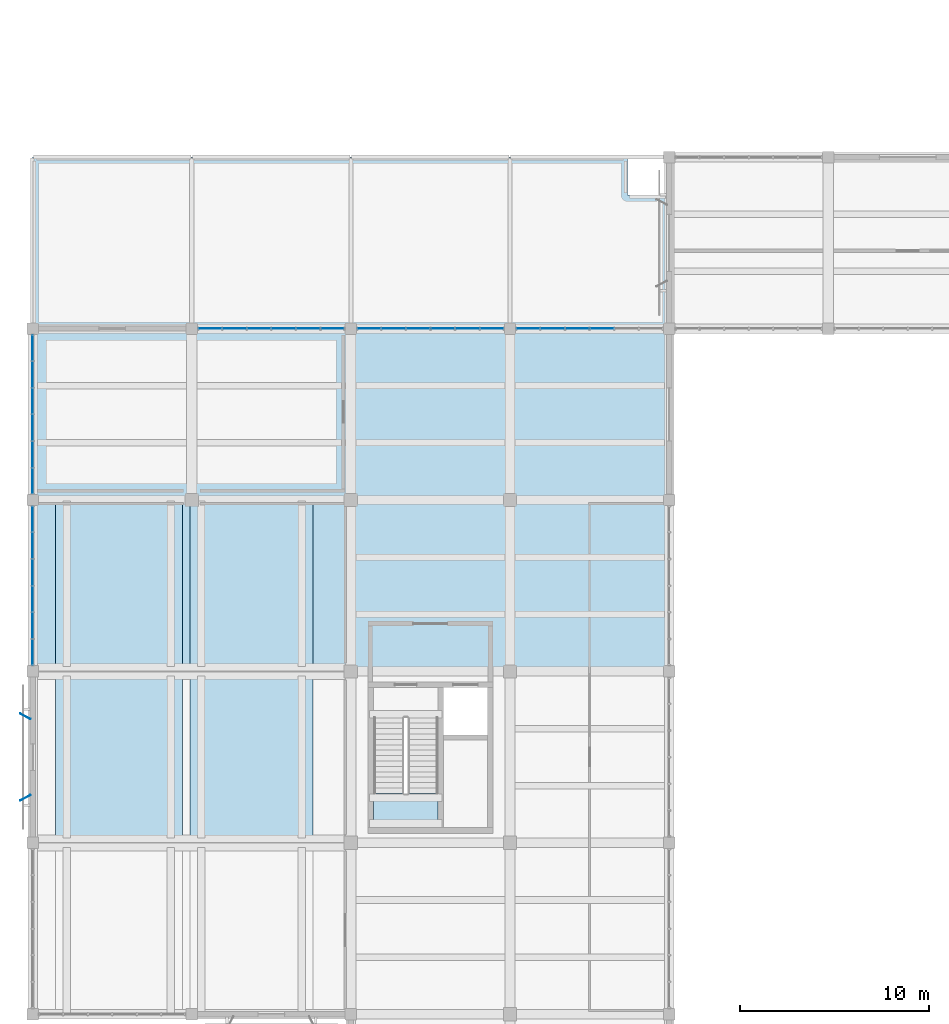
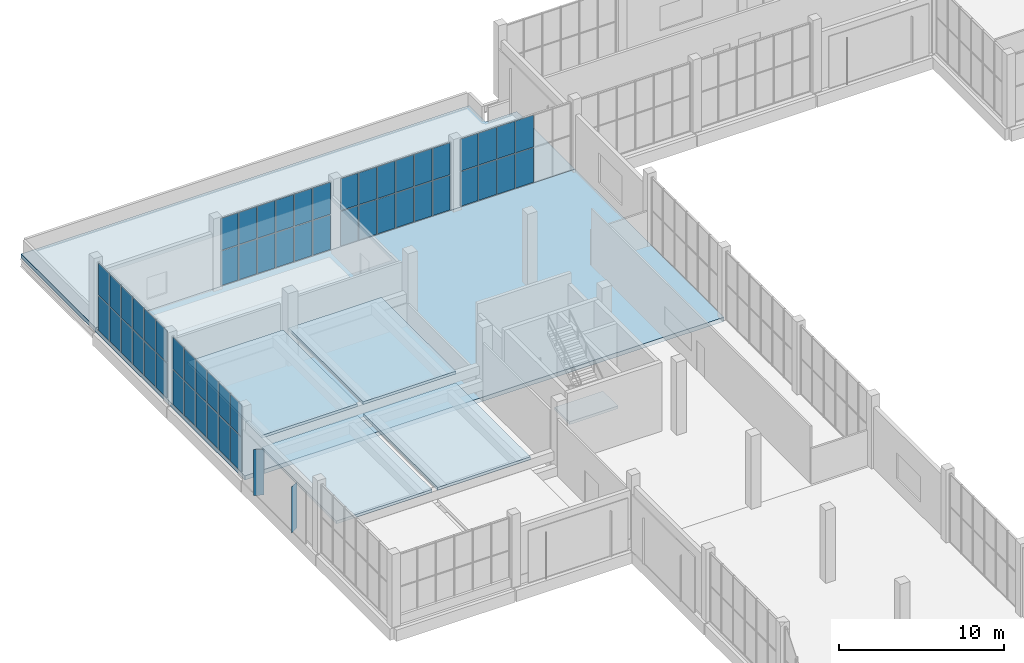
# One storey, part 102 of 132: 58 plates, 7 slabs, 6 elements without a shape of their own.
"""IFC4 building model written with IfcOpenShell, lengths in metres."""

from ifc_helpers import new_model, si_unit, direction, frame, origin, origin_2d, place, context, subcontext, project, spatial, polyline, rectangle, outline, extrude, material, layer, layer_set, type_object, element, aggregate, save


model = new_model("IFC4")

# Units and contexts
model_context = context("Model", 3, precision=1e-05, world=origin(), true_north=direction((0.0, 1.0)))
body_context = subcontext(model_context, "Body", "Model", "MODEL_VIEW")
ifc_project = project(units=[si_unit("LENGTHUNIT", "METRE"), si_unit("AREAUNIT", "SQUARE_METRE"), si_unit("VOLUMEUNIT", "CUBIC_METRE"), si_unit("PLANEANGLEUNIT", "RADIAN"), si_unit("MASSUNIT", "GRAM", prefix="KILO")], contexts=[model_context])

# Site, building, storey
site_placement = place(None, origin())
site = spatial("IfcSite", under=ifc_project, at=site_placement, CompositionType="ELEMENT")
building_placement = place(site_placement, origin())
building = spatial("IfcBuilding", under=site, at=building_placement, Name="Khurvash Pelagic Aquarium", CompositionType="ELEMENT")
storey_placement = place(building_placement, frame((0.0, 0.0, 5.39990234375)))
storey = spatial("IfcBuildingStorey", under=building, at=storey_placement, Name="L01", CompositionType="ELEMENT", Elevation=5.39990234375)

# Curtain wall, plates
ifc_material_1 = material(Name="Anodised aluminium and low-E laminated glass", Category="aluminium")
curtain_wall_type_1 = type_object("IfcCurtainWallType", Name="CW-05", PredefinedType="USERDEFINED", material=ifc_material_1)
curtain_wall_1_placement = place(storey_placement, origin())
curtain_wall_1 = element("IfcCurtainWall", 1, at=curtain_wall_1_placement, inside=storey, type_object=curtain_wall_type_1, Name="L01 Facade Unitised Curtain Wall CW-05 0121", ObjectType="UNITISED CURTAIN WALL", PredefinedType="USERDEFINED")
ifc_material_2 = material(Name="Low-E laminated double glazing", Category="glass")
ifc_layer_1 = layer(ifc_material_2, 0.033935546875)
ifc_layer_set_1 = layer_set([ifc_layer_1], Name="Low-E laminated double glazing")
plate_type_1 = type_object("IfcPlateType", Name="CG-05", PredefinedType="CURTAIN_PANEL", material=ifc_layer_set_1)
plate_1_placement = place(storey_placement, frame((30.049072265625, 93.10009765625, 0.06005859375), z_axis=(0.0, 0.0, 1.0), x_axis=(-1.0, 0.0, 0.0)))
plate_1 = element("IfcPlate", 2, at=plate_1_placement, type_object=plate_type_1, Name="CW-05 panel 3.1", PredefinedType="CURTAIN_PANEL", context=body_context, shape_type="SweptSolid", body=[
    extrude(rectangle(XDim=1.23828125, YDim=0.033935546875, at=origin_2d()), origin(), (0.0, 0.0, 1.0), 2.56201171875),
])
plate_2_placement = place(storey_placement, frame((30.049072265625, 93.10009765625, 2.68212890625), z_axis=(0.0, 0.0, 1.0), x_axis=(-1.0, 0.0, 0.0)))
plate_2 = element("IfcPlate", 3, at=plate_2_placement, type_object=plate_type_1, Name="CW-05 panel 3.2", PredefinedType="CURTAIN_PANEL", context=body_context, shape_type="SweptSolid", body=[
    extrude(rectangle(XDim=1.23828125, YDim=0.033935546875, at=origin_2d()), origin(), (0.0, 0.0, 1.0), 2.35791015625),
])
plate_3_placement = place(storey_placement, frame((28.750732421875, 93.10009765625, 0.06005859375), z_axis=(0.0, 0.0, 1.0), x_axis=(-1.0, 0.0, 0.0)))
plate_3 = element("IfcPlate", 4, at=plate_3_placement, type_object=plate_type_1, Name="CW-05 panel 4.1", PredefinedType="CURTAIN_PANEL", context=body_context, shape_type="SweptSolid", body=[
    extrude(rectangle(XDim=1.23828125, YDim=0.033935546875, at=origin_2d()), origin(), (0.0, 0.0, 1.0), 2.56201171875),
])
plate_4_placement = place(storey_placement, frame((28.750732421875, 93.10009765625, 2.68212890625), z_axis=(0.0, 0.0, 1.0), x_axis=(-1.0, 0.0, 0.0)))
plate_4 = element("IfcPlate", 5, at=plate_4_placement, type_object=plate_type_1, Name="CW-05 panel 4.2", PredefinedType="CURTAIN_PANEL", context=body_context, shape_type="SweptSolid", body=[
    extrude(rectangle(XDim=1.23828125, YDim=0.033935546875, at=origin_2d()), origin(), (0.0, 0.0, 1.0), 2.35791015625),
])
plate_5_placement = place(storey_placement, frame((27.452392578125, 93.10009765625, 0.06005859375), z_axis=(0.0, 0.0, 1.0), x_axis=(-1.0, 0.0, 0.0)))
plate_5 = element("IfcPlate", 6, at=plate_5_placement, type_object=plate_type_1, Name="CW-05 panel 5.1", PredefinedType="CURTAIN_PANEL", context=body_context, shape_type="SweptSolid", body=[
    extrude(rectangle(XDim=1.23828125, YDim=0.033935546875, at=origin_2d()), origin(), (0.0, 0.0, 1.0), 2.56201171875),
])
plate_6_placement = place(storey_placement, frame((27.452392578125, 93.10009765625, 2.68212890625), z_axis=(0.0, 0.0, 1.0), x_axis=(-1.0, 0.0, 0.0)))
plate_6 = element("IfcPlate", 7, at=plate_6_placement, type_object=plate_type_1, Name="CW-05 panel 5.2", PredefinedType="CURTAIN_PANEL", context=body_context, shape_type="SweptSolid", body=[
    extrude(rectangle(XDim=1.23828125, YDim=0.033935546875, at=origin_2d()), origin(), (0.0, 0.0, 1.0), 2.35791015625),
])
plate_7_placement = place(storey_placement, frame((26.169189453125, 93.10009765625, 0.06005859375), z_axis=(0.0, 0.0, 1.0), x_axis=(-1.0, 0.0, 0.0)))
plate_7 = element("IfcPlate", 8, at=plate_7_placement, type_object=plate_type_1, Name="CW-05 panel 6.1", PredefinedType="CURTAIN_PANEL", context=body_context, shape_type="SweptSolid", body=[
    extrude(rectangle(XDim=1.208251953125, YDim=0.033935546875, at=origin_2d()), origin(), (0.0, 0.0, 1.0), 2.56201171875),
])
plate_8_placement = place(storey_placement, frame((26.169189453125, 93.10009765625, 2.68212890625), z_axis=(0.0, 0.0, 1.0), x_axis=(-1.0, 0.0, 0.0)))
plate_8 = element("IfcPlate", 9, at=plate_8_placement, type_object=plate_type_1, Name="CW-05 panel 6.2", PredefinedType="CURTAIN_PANEL", context=body_context, shape_type="SweptSolid", body=[
    extrude(rectangle(XDim=1.208251953125, YDim=0.033935546875, at=origin_2d()), origin(), (0.0, 0.0, 1.0), 2.35791015625),
])
aggregate(curtain_wall_1, [plate_1, plate_2, plate_3, plate_4, plate_5, plate_6, plate_7, plate_8])

curtain_wall_2_placement = place(storey_placement, origin())
curtain_wall_2 = element("IfcCurtainWall", 10, at=curtain_wall_2_placement, inside=storey, type_object=curtain_wall_type_1, Name="L01 Facade Unitised Curtain Wall CW-05 0122", ObjectType="UNITISED CURTAIN WALL", PredefinedType="USERDEFINED")
plate_9_placement = place(storey_placement, frame((24.230712890625, 93.10009765625, 0.06005859375), z_axis=(0.0, 0.0, 1.0), x_axis=(-1.0, 0.0, 0.0)))
plate_9 = element("IfcPlate", 11, at=plate_9_placement, type_object=plate_type_1, Name="CW-05 panel 1.1", PredefinedType="CURTAIN_PANEL", context=body_context, shape_type="SweptSolid", body=[
    extrude(rectangle(XDim=1.208251953125, YDim=0.033935546875, at=origin_2d()), origin(), (0.0, 0.0, 1.0), 2.56201171875),
])
plate_10_placement = place(storey_placement, frame((24.230712890625, 93.10009765625, 2.68212890625), z_axis=(0.0, 0.0, 1.0), x_axis=(-1.0, 0.0, 0.0)))
plate_10 = element("IfcPlate", 12, at=plate_10_placement, type_object=plate_type_1, Name="CW-05 panel 1.2", PredefinedType="CURTAIN_PANEL", context=body_context, shape_type="SweptSolid", body=[
    extrude(rectangle(XDim=1.208251953125, YDim=0.033935546875, at=origin_2d()), origin(), (0.0, 0.0, 1.0), 2.35791015625),
])
plate_11_placement = place(storey_placement, frame((22.947509765625, 93.10009765625, 0.06005859375), z_axis=(0.0, 0.0, 1.0), x_axis=(-1.0, 0.0, 0.0)))
plate_11 = element("IfcPlate", 13, at=plate_11_placement, type_object=plate_type_1, Name="CW-05 panel 2.1", PredefinedType="CURTAIN_PANEL", context=body_context, shape_type="SweptSolid", body=[
    extrude(rectangle(XDim=1.23828125, YDim=0.033935546875, at=origin_2d()), origin(), (0.0, 0.0, 1.0), 2.56201171875),
])
plate_12_placement = place(storey_placement, frame((22.947509765625, 93.10009765625, 2.68212890625), z_axis=(0.0, 0.0, 1.0), x_axis=(-1.0, 0.0, 0.0)))
plate_12 = element("IfcPlate", 14, at=plate_12_placement, type_object=plate_type_1, Name="CW-05 panel 2.2", PredefinedType="CURTAIN_PANEL", context=body_context, shape_type="SweptSolid", body=[
    extrude(rectangle(XDim=1.23828125, YDim=0.033935546875, at=origin_2d()), origin(), (0.0, 0.0, 1.0), 2.35791015625),
])
plate_13_placement = place(storey_placement, frame((21.649169921875, 93.10009765625, 0.06005859375), z_axis=(0.0, 0.0, 1.0), x_axis=(-1.0, 0.0, 0.0)))
plate_13 = element("IfcPlate", 15, at=plate_13_placement, type_object=plate_type_1, Name="CW-05 panel 3.1", PredefinedType="CURTAIN_PANEL", context=body_context, shape_type="SweptSolid", body=[
    extrude(rectangle(XDim=1.23828125, YDim=0.033935546875, at=origin_2d()), origin(), (0.0, 0.0, 1.0), 2.56201171875),
])
plate_14_placement = place(storey_placement, frame((21.649169921875, 93.10009765625, 2.68212890625), z_axis=(0.0, 0.0, 1.0), x_axis=(-1.0, 0.0, 0.0)))
plate_14 = element("IfcPlate", 16, at=plate_14_placement, type_object=plate_type_1, Name="CW-05 panel 3.2", PredefinedType="CURTAIN_PANEL", context=body_context, shape_type="SweptSolid", body=[
    extrude(rectangle(XDim=1.23828125, YDim=0.033935546875, at=origin_2d()), origin(), (0.0, 0.0, 1.0), 2.35791015625),
])
plate_15_placement = place(storey_placement, frame((20.350830078125, 93.10009765625, 0.06005859375), z_axis=(0.0, 0.0, 1.0), x_axis=(-1.0, 0.0, 0.0)))
plate_15 = element("IfcPlate", 17, at=plate_15_placement, type_object=plate_type_1, Name="CW-05 panel 4.1", PredefinedType="CURTAIN_PANEL", context=body_context, shape_type="SweptSolid", body=[
    extrude(rectangle(XDim=1.23828125, YDim=0.033935546875, at=origin_2d()), origin(), (0.0, 0.0, 1.0), 2.56201171875),
])
plate_16_placement = place(storey_placement, frame((20.350830078125, 93.10009765625, 2.68212890625), z_axis=(0.0, 0.0, 1.0), x_axis=(-1.0, 0.0, 0.0)))
plate_16 = element("IfcPlate", 18, at=plate_16_placement, type_object=plate_type_1, Name="CW-05 panel 4.2", PredefinedType="CURTAIN_PANEL", context=body_context, shape_type="SweptSolid", body=[
    extrude(rectangle(XDim=1.23828125, YDim=0.033935546875, at=origin_2d()), origin(), (0.0, 0.0, 1.0), 2.35791015625),
])
plate_17_placement = place(storey_placement, frame((19.052490234375, 93.10009765625, 0.06005859375), z_axis=(0.0, 0.0, 1.0), x_axis=(-1.0, 0.0, 0.0)))
plate_17 = element("IfcPlate", 19, at=plate_17_placement, type_object=plate_type_1, Name="CW-05 panel 5.1", PredefinedType="CURTAIN_PANEL", context=body_context, shape_type="SweptSolid", body=[
    extrude(rectangle(XDim=1.23828125, YDim=0.033935546875, at=origin_2d()), origin(), (0.0, 0.0, 1.0), 2.56201171875),
])
plate_18_placement = place(storey_placement, frame((19.052490234375, 93.10009765625, 2.68212890625), z_axis=(0.0, 0.0, 1.0), x_axis=(-1.0, 0.0, 0.0)))
plate_18 = element("IfcPlate", 20, at=plate_18_placement, type_object=plate_type_1, Name="CW-05 panel 5.2", PredefinedType="CURTAIN_PANEL", context=body_context, shape_type="SweptSolid", body=[
    extrude(rectangle(XDim=1.23828125, YDim=0.033935546875, at=origin_2d()), origin(), (0.0, 0.0, 1.0), 2.35791015625),
])
plate_19_placement = place(storey_placement, frame((17.769287109375, 93.10009765625, 0.06005859375), z_axis=(0.0, 0.0, 1.0), x_axis=(-1.0, 0.0, 0.0)))
plate_19 = element("IfcPlate", 21, at=plate_19_placement, type_object=plate_type_1, Name="CW-05 panel 6.1", PredefinedType="CURTAIN_PANEL", context=body_context, shape_type="SweptSolid", body=[
    extrude(rectangle(XDim=1.208251953125, YDim=0.033935546875, at=origin_2d()), origin(), (0.0, 0.0, 1.0), 2.56201171875),
])
plate_20_placement = place(storey_placement, frame((17.769287109375, 93.10009765625, 2.68212890625), z_axis=(0.0, 0.0, 1.0), x_axis=(-1.0, 0.0, 0.0)))
plate_20 = element("IfcPlate", 22, at=plate_20_placement, type_object=plate_type_1, Name="CW-05 panel 6.2", PredefinedType="CURTAIN_PANEL", context=body_context, shape_type="SweptSolid", body=[
    extrude(rectangle(XDim=1.208251953125, YDim=0.033935546875, at=origin_2d()), origin(), (0.0, 0.0, 1.0), 2.35791015625),
])
aggregate(curtain_wall_2, [plate_9, plate_10, plate_11, plate_12, plate_13, plate_14, plate_15, plate_16, plate_17, plate_18, plate_19, plate_20])

curtain_wall_3_placement = place(storey_placement, origin())
curtain_wall_3 = element("IfcCurtainWall", 23, at=curtain_wall_3_placement, inside=storey, type_object=curtain_wall_type_1, Name="L01 Facade Unitised Curtain Wall CW-05 0123", ObjectType="UNITISED CURTAIN WALL", PredefinedType="USERDEFINED")
plate_21_placement = place(storey_placement, frame((15.830810546875, 93.10009765625, 0.06005859375), z_axis=(0.0, 0.0, 1.0), x_axis=(-1.0, 0.0, 0.0)))
plate_21 = element("IfcPlate", 24, at=plate_21_placement, type_object=plate_type_1, Name="CW-05 panel 1.1", PredefinedType="CURTAIN_PANEL", context=body_context, shape_type="SweptSolid", body=[
    extrude(rectangle(XDim=1.208251953125, YDim=0.033935546875, at=origin_2d()), origin(), (0.0, 0.0, 1.0), 2.56201171875),
])
plate_22_placement = place(storey_placement, frame((15.830810546875, 93.10009765625, 2.68212890625), z_axis=(0.0, 0.0, 1.0), x_axis=(-1.0, 0.0, 0.0)))
plate_22 = element("IfcPlate", 25, at=plate_22_placement, type_object=plate_type_1, Name="CW-05 panel 1.2", PredefinedType="CURTAIN_PANEL", context=body_context, shape_type="SweptSolid", body=[
    extrude(rectangle(XDim=1.208251953125, YDim=0.033935546875, at=origin_2d()), origin(), (0.0, 0.0, 1.0), 2.35791015625),
])
plate_23_placement = place(storey_placement, frame((14.547607421875, 93.10009765625, 0.06005859375), z_axis=(0.0, 0.0, 1.0), x_axis=(-1.0, 0.0, 0.0)))
plate_23 = element("IfcPlate", 26, at=plate_23_placement, type_object=plate_type_1, Name="CW-05 panel 2.1", PredefinedType="CURTAIN_PANEL", context=body_context, shape_type="SweptSolid", body=[
    extrude(rectangle(XDim=1.23828125, YDim=0.033935546875, at=origin_2d()), origin(), (0.0, 0.0, 1.0), 2.56201171875),
])
plate_24_placement = place(storey_placement, frame((14.547607421875, 93.10009765625, 2.68212890625), z_axis=(0.0, 0.0, 1.0), x_axis=(-1.0, 0.0, 0.0)))
plate_24 = element("IfcPlate", 27, at=plate_24_placement, type_object=plate_type_1, Name="CW-05 panel 2.2", PredefinedType="CURTAIN_PANEL", context=body_context, shape_type="SweptSolid", body=[
    extrude(rectangle(XDim=1.23828125, YDim=0.033935546875, at=origin_2d()), origin(), (0.0, 0.0, 1.0), 2.35791015625),
])
plate_25_placement = place(storey_placement, frame((13.249267578125, 93.10009765625, 0.06005859375), z_axis=(0.0, 0.0, 1.0), x_axis=(-1.0, 0.0, 0.0)))
plate_25 = element("IfcPlate", 28, at=plate_25_placement, type_object=plate_type_1, Name="CW-05 panel 3.1", PredefinedType="CURTAIN_PANEL", context=body_context, shape_type="SweptSolid", body=[
    extrude(rectangle(XDim=1.23828125, YDim=0.033935546875, at=origin_2d()), origin(), (0.0, 0.0, 1.0), 2.56201171875),
])
plate_26_placement = place(storey_placement, frame((13.249267578125, 93.10009765625, 2.68212890625), z_axis=(0.0, 0.0, 1.0), x_axis=(-1.0, 0.0, 0.0)))
plate_26 = element("IfcPlate", 29, at=plate_26_placement, type_object=plate_type_1, Name="CW-05 panel 3.2", PredefinedType="CURTAIN_PANEL", context=body_context, shape_type="SweptSolid", body=[
    extrude(rectangle(XDim=1.23828125, YDim=0.033935546875, at=origin_2d()), origin(), (0.0, 0.0, 1.0), 2.35791015625),
])
plate_27_placement = place(storey_placement, frame((11.950927734375, 93.10009765625, 0.06005859375), z_axis=(0.0, 0.0, 1.0), x_axis=(-1.0, 0.0, 0.0)))
plate_27 = element("IfcPlate", 30, at=plate_27_placement, type_object=plate_type_1, Name="CW-05 panel 4.1", PredefinedType="CURTAIN_PANEL", context=body_context, shape_type="SweptSolid", body=[
    extrude(rectangle(XDim=1.23828125, YDim=0.033935546875, at=origin_2d()), origin(), (0.0, 0.0, 1.0), 2.56201171875),
])
plate_28_placement = place(storey_placement, frame((11.950927734375, 93.10009765625, 2.68212890625), z_axis=(0.0, 0.0, 1.0), x_axis=(-1.0, 0.0, 0.0)))
plate_28 = element("IfcPlate", 31, at=plate_28_placement, type_object=plate_type_1, Name="CW-05 panel 4.2", PredefinedType="CURTAIN_PANEL", context=body_context, shape_type="SweptSolid", body=[
    extrude(rectangle(XDim=1.23828125, YDim=0.033935546875, at=origin_2d()), origin(), (0.0, 0.0, 1.0), 2.35791015625),
])
plate_29_placement = place(storey_placement, frame((10.652587890625, 93.10009765625, 0.06005859375), z_axis=(0.0, 0.0, 1.0), x_axis=(-1.0, 0.0, 0.0)))
plate_29 = element("IfcPlate", 32, at=plate_29_placement, type_object=plate_type_1, Name="CW-05 panel 5.1", PredefinedType="CURTAIN_PANEL", context=body_context, shape_type="SweptSolid", body=[
    extrude(rectangle(XDim=1.23828125, YDim=0.033935546875, at=origin_2d()), origin(), (0.0, 0.0, 1.0), 2.56201171875),
])
plate_30_placement = place(storey_placement, frame((10.652587890625, 93.10009765625, 2.68212890625), z_axis=(0.0, 0.0, 1.0), x_axis=(-1.0, 0.0, 0.0)))
plate_30 = element("IfcPlate", 33, at=plate_30_placement, type_object=plate_type_1, Name="CW-05 panel 5.2", PredefinedType="CURTAIN_PANEL", context=body_context, shape_type="SweptSolid", body=[
    extrude(rectangle(XDim=1.23828125, YDim=0.033935546875, at=origin_2d()), origin(), (0.0, 0.0, 1.0), 2.35791015625),
])
plate_31_placement = place(storey_placement, frame((9.369140625, 93.10009765625, 0.06005859375), z_axis=(0.0, 0.0, 1.0), x_axis=(-1.0, 0.0, 0.0)))
plate_31 = element("IfcPlate", 34, at=plate_31_placement, type_object=plate_type_1, Name="CW-05 panel 6.1", PredefinedType="CURTAIN_PANEL", context=body_context, shape_type="SweptSolid", body=[
    extrude(rectangle(XDim=1.208251953125, YDim=0.033935546875, at=origin_2d()), origin(), (0.0, 0.0, 1.0), 2.56201171875),
])
plate_32_placement = place(storey_placement, frame((9.369140625, 93.10009765625, 2.68212890625), z_axis=(0.0, 0.0, 1.0), x_axis=(-1.0, 0.0, 0.0)))
plate_32 = element("IfcPlate", 35, at=plate_32_placement, type_object=plate_type_1, Name="CW-05 panel 6.2", PredefinedType="CURTAIN_PANEL", context=body_context, shape_type="SweptSolid", body=[
    extrude(rectangle(XDim=1.208251953125, YDim=0.033935546875, at=origin_2d()), origin(), (0.0, 0.0, 1.0), 2.35791015625),
])
aggregate(curtain_wall_3, [plate_21, plate_22, plate_23, plate_24, plate_25, plate_26, plate_27, plate_28, plate_29, plate_30, plate_31, plate_32])

curtain_wall_type_2 = type_object("IfcCurtainWallType", Name="CW-06", PredefinedType="USERDEFINED", material=ifc_material_1)
curtain_wall_4_placement = place(storey_placement, origin())
curtain_wall_4 = element("IfcCurtainWall", 36, at=curtain_wall_4_placement, inside=storey, type_object=curtain_wall_type_2, Name="L01 Facade Unitised Curtain Wall CW-06 0124", ObjectType="UNITISED CURTAIN WALL", PredefinedType="USERDEFINED")
ifc_layer_2 = layer(ifc_material_2, 0.030029296875)
ifc_layer_set_2 = layer_set([ifc_layer_2], Name="Low-E laminated double glazing")
plate_type_2 = type_object("IfcPlateType", Name="CG-06", PredefinedType="CURTAIN_PANEL", material=ifc_layer_set_2)
plate_33_placement = place(storey_placement, frame((0.0, 92.07666015625, 0.06005859375), z_axis=(0.0, 0.0, 1.0), x_axis=(0.0, -1.0, 0.0)))
plate_33 = element("IfcPlate", 37, at=plate_33_placement, type_object=plate_type_2, Name="CW-06 panel 1.1", PredefinedType="CURTAIN_PANEL", context=body_context, shape_type="SweptSolid", body=[
    extrude(rectangle(XDim=1.316650390625, YDim=0.030029296875, at=origin_2d()), origin(), (0.0, 0.0, 1.0), 2.56201171875),
])
plate_34_placement = place(storey_placement, frame((0.0, 92.07666015625, 2.68212890625), z_axis=(0.0, 0.0, 1.0), x_axis=(0.0, -1.0, 0.0)))
plate_34 = element("IfcPlate", 38, at=plate_34_placement, type_object=plate_type_2, Name="CW-06 panel 1.2", PredefinedType="CURTAIN_PANEL", context=body_context, shape_type="SweptSolid", body=[
    extrude(rectangle(XDim=1.316650390625, YDim=0.030029296875, at=origin_2d()), origin(), (0.0, 0.0, 1.0), 2.35791015625),
])
plate_35_placement = place(storey_placement, frame((0.0, 90.68505859375, 0.06005859375), z_axis=(0.0, 0.0, 1.0), x_axis=(0.0, -1.0, 0.0)))
plate_35 = element("IfcPlate", 39, at=plate_35_placement, type_object=plate_type_2, Name="CW-06 panel 2.1", PredefinedType="CURTAIN_PANEL", context=body_context, shape_type="SweptSolid", body=[
    extrude(rectangle(XDim=1.3466796875, YDim=0.030029296875, at=origin_2d()), origin(), (0.0, 0.0, 1.0), 2.56201171875),
])
plate_36_placement = place(storey_placement, frame((0.0, 90.68505859375, 2.68212890625), z_axis=(0.0, 0.0, 1.0), x_axis=(0.0, -1.0, 0.0)))
plate_36 = element("IfcPlate", 40, at=plate_36_placement, type_object=plate_type_2, Name="CW-06 panel 2.2", PredefinedType="CURTAIN_PANEL", context=body_context, shape_type="SweptSolid", body=[
    extrude(rectangle(XDim=1.3466796875, YDim=0.030029296875, at=origin_2d()), origin(), (0.0, 0.0, 1.0), 2.35791015625),
])
plate_37_placement = place(storey_placement, frame((0.0, 89.2783203125, 0.06005859375), z_axis=(0.0, 0.0, 1.0), x_axis=(0.0, -1.0, 0.0)))
plate_37 = element("IfcPlate", 41, at=plate_37_placement, type_object=plate_type_2, Name="CW-06 panel 3.1", PredefinedType="CURTAIN_PANEL", context=body_context, shape_type="SweptSolid", body=[
    extrude(rectangle(XDim=1.3466796875, YDim=0.030029296875, at=origin_2d()), origin(), (0.0, 0.0, 1.0), 2.56201171875),
])
plate_38_placement = place(storey_placement, frame((0.0, 89.2783203125, 2.68212890625), z_axis=(0.0, 0.0, 1.0), x_axis=(0.0, -1.0, 0.0)))
plate_38 = element("IfcPlate", 42, at=plate_38_placement, type_object=plate_type_2, Name="CW-06 panel 3.2", PredefinedType="CURTAIN_PANEL", context=body_context, shape_type="SweptSolid", body=[
    extrude(rectangle(XDim=1.3466796875, YDim=0.030029296875, at=origin_2d()), origin(), (0.0, 0.0, 1.0), 2.35791015625),
])
plate_39_placement = place(storey_placement, frame((0.0, 87.87158203125, 0.06005859375), z_axis=(0.0, 0.0, 1.0), x_axis=(0.0, -1.0, 0.0)))
plate_39 = element("IfcPlate", 43, at=plate_39_placement, type_object=plate_type_2, Name="CW-06 panel 4.1", PredefinedType="CURTAIN_PANEL", context=body_context, shape_type="SweptSolid", body=[
    extrude(rectangle(XDim=1.3466796875, YDim=0.030029296875, at=origin_2d()), origin(), (0.0, 0.0, 1.0), 2.56201171875),
])
plate_40_placement = place(storey_placement, frame((0.0, 87.87158203125, 2.68212890625), z_axis=(0.0, 0.0, 1.0), x_axis=(0.0, -1.0, 0.0)))
plate_40 = element("IfcPlate", 44, at=plate_40_placement, type_object=plate_type_2, Name="CW-06 panel 4.2", PredefinedType="CURTAIN_PANEL", context=body_context, shape_type="SweptSolid", body=[
    extrude(rectangle(XDim=1.3466796875, YDim=0.030029296875, at=origin_2d()), origin(), (0.0, 0.0, 1.0), 2.35791015625),
])
plate_41_placement = place(storey_placement, frame((0.0, 86.465087890625, 0.06005859375), z_axis=(0.0, 0.0, 1.0), x_axis=(0.0, -1.0, 0.0)))
plate_41 = element("IfcPlate", 45, at=plate_41_placement, type_object=plate_type_2, Name="CW-06 panel 5.1", PredefinedType="CURTAIN_PANEL", context=body_context, shape_type="SweptSolid", body=[
    extrude(rectangle(XDim=1.3466796875, YDim=0.030029296875, at=origin_2d()), origin(), (0.0, 0.0, 1.0), 2.56201171875),
])
plate_42_placement = place(storey_placement, frame((0.0, 86.465087890625, 2.68212890625), z_axis=(0.0, 0.0, 1.0), x_axis=(0.0, -1.0, 0.0)))
plate_42 = element("IfcPlate", 46, at=plate_42_placement, type_object=plate_type_2, Name="CW-06 panel 5.2", PredefinedType="CURTAIN_PANEL", context=body_context, shape_type="SweptSolid", body=[
    extrude(rectangle(XDim=1.3466796875, YDim=0.030029296875, at=origin_2d()), origin(), (0.0, 0.0, 1.0), 2.35791015625),
])
plate_43_placement = place(storey_placement, frame((0.0, 85.0732421875, 0.06005859375), z_axis=(0.0, 0.0, 1.0), x_axis=(0.0, -1.0, 0.0)))
plate_43 = element("IfcPlate", 47, at=plate_43_placement, type_object=plate_type_2, Name="CW-06 panel 6.1", PredefinedType="CURTAIN_PANEL", context=body_context, shape_type="SweptSolid", body=[
    extrude(rectangle(XDim=1.316650390625, YDim=0.030029296875, at=origin_2d()), origin(), (0.0, 0.0, 1.0), 2.56201171875),
])
plate_44_placement = place(storey_placement, frame((0.0, 85.0732421875, 2.68212890625), z_axis=(0.0, 0.0, 1.0), x_axis=(0.0, -1.0, 0.0)))
plate_44 = element("IfcPlate", 48, at=plate_44_placement, type_object=plate_type_2, Name="CW-06 panel 6.2", PredefinedType="CURTAIN_PANEL", context=body_context, shape_type="SweptSolid", body=[
    extrude(rectangle(XDim=1.316650390625, YDim=0.030029296875, at=origin_2d()), origin(), (0.0, 0.0, 1.0), 2.35791015625),
])
aggregate(curtain_wall_4, [plate_33, plate_34, plate_35, plate_36, plate_37, plate_38, plate_39, plate_40, plate_41, plate_42, plate_43, plate_44])

curtain_wall_5_placement = place(storey_placement, origin())
curtain_wall_5 = element("IfcCurtainWall", 49, at=curtain_wall_5_placement, inside=storey, type_object=curtain_wall_type_2, Name="L01 Facade Unitised Curtain Wall CW-06 0125", ObjectType="UNITISED CURTAIN WALL", PredefinedType="USERDEFINED")
plate_45_placement = place(storey_placement, frame((0.0, 83.026611328125, 0.06005859375), z_axis=(0.0, 0.0, 1.0), x_axis=(0.0, -1.0, 0.0)))
plate_45 = element("IfcPlate", 50, at=plate_45_placement, type_object=plate_type_2, Name="CW-06 panel 1.1", PredefinedType="CURTAIN_PANEL", context=body_context, shape_type="SweptSolid", body=[
    extrude(rectangle(XDim=1.316650390625, YDim=0.030029296875, at=origin_2d()), origin(), (0.0, 0.0, 1.0), 2.56201171875),
])
plate_46_placement = place(storey_placement, frame((0.0, 83.026611328125, 2.68212890625), z_axis=(0.0, 0.0, 1.0), x_axis=(0.0, -1.0, 0.0)))
plate_46 = element("IfcPlate", 51, at=plate_46_placement, type_object=plate_type_2, Name="CW-06 panel 1.2", PredefinedType="CURTAIN_PANEL", context=body_context, shape_type="SweptSolid", body=[
    extrude(rectangle(XDim=1.316650390625, YDim=0.030029296875, at=origin_2d()), origin(), (0.0, 0.0, 1.0), 2.35791015625),
])
plate_47_placement = place(storey_placement, frame((0.0, 81.635009765625, 0.06005859375), z_axis=(0.0, 0.0, 1.0), x_axis=(0.0, -1.0, 0.0)))
plate_47 = element("IfcPlate", 52, at=plate_47_placement, type_object=plate_type_2, Name="CW-06 panel 2.1", PredefinedType="CURTAIN_PANEL", context=body_context, shape_type="SweptSolid", body=[
    extrude(rectangle(XDim=1.3466796875, YDim=0.030029296875, at=origin_2d()), origin(), (0.0, 0.0, 1.0), 2.56201171875),
])
plate_48_placement = place(storey_placement, frame((0.0, 81.635009765625, 2.68212890625), z_axis=(0.0, 0.0, 1.0), x_axis=(0.0, -1.0, 0.0)))
plate_48 = element("IfcPlate", 53, at=plate_48_placement, type_object=plate_type_2, Name="CW-06 panel 2.2", PredefinedType="CURTAIN_PANEL", context=body_context, shape_type="SweptSolid", body=[
    extrude(rectangle(XDim=1.3466796875, YDim=0.030029296875, at=origin_2d()), origin(), (0.0, 0.0, 1.0), 2.35791015625),
])
plate_49_placement = place(storey_placement, frame((0.0, 80.228271484375, 0.06005859375), z_axis=(0.0, 0.0, 1.0), x_axis=(0.0, -1.0, 0.0)))
plate_49 = element("IfcPlate", 54, at=plate_49_placement, type_object=plate_type_2, Name="CW-06 panel 3.1", PredefinedType="CURTAIN_PANEL", context=body_context, shape_type="SweptSolid", body=[
    extrude(rectangle(XDim=1.3466796875, YDim=0.030029296875, at=origin_2d()), origin(), (0.0, 0.0, 1.0), 2.56201171875),
])
plate_50_placement = place(storey_placement, frame((0.0, 80.228271484375, 2.68212890625), z_axis=(0.0, 0.0, 1.0), x_axis=(0.0, -1.0, 0.0)))
plate_50 = element("IfcPlate", 55, at=plate_50_placement, type_object=plate_type_2, Name="CW-06 panel 3.2", PredefinedType="CURTAIN_PANEL", context=body_context, shape_type="SweptSolid", body=[
    extrude(rectangle(XDim=1.3466796875, YDim=0.030029296875, at=origin_2d()), origin(), (0.0, 0.0, 1.0), 2.35791015625),
])
plate_51_placement = place(storey_placement, frame((0.0, 78.82177734375, 0.06005859375), z_axis=(0.0, 0.0, 1.0), x_axis=(0.0, -1.0, 0.0)))
plate_51 = element("IfcPlate", 56, at=plate_51_placement, type_object=plate_type_2, Name="CW-06 panel 4.1", PredefinedType="CURTAIN_PANEL", context=body_context, shape_type="SweptSolid", body=[
    extrude(rectangle(XDim=1.3466796875, YDim=0.030029296875, at=origin_2d()), origin(), (0.0, 0.0, 1.0), 2.56201171875),
])
plate_52_placement = place(storey_placement, frame((0.0, 78.82177734375, 2.68212890625), z_axis=(0.0, 0.0, 1.0), x_axis=(0.0, -1.0, 0.0)))
plate_52 = element("IfcPlate", 57, at=plate_52_placement, type_object=plate_type_2, Name="CW-06 panel 4.2", PredefinedType="CURTAIN_PANEL", context=body_context, shape_type="SweptSolid", body=[
    extrude(rectangle(XDim=1.3466796875, YDim=0.030029296875, at=origin_2d()), origin(), (0.0, 0.0, 1.0), 2.35791015625),
])
plate_53_placement = place(storey_placement, frame((0.0, 77.4150390625, 0.06005859375), z_axis=(0.0, 0.0, 1.0), x_axis=(0.0, -1.0, 0.0)))
plate_53 = element("IfcPlate", 58, at=plate_53_placement, type_object=plate_type_2, Name="CW-06 panel 5.1", PredefinedType="CURTAIN_PANEL", context=body_context, shape_type="SweptSolid", body=[
    extrude(rectangle(XDim=1.3466796875, YDim=0.030029296875, at=origin_2d()), origin(), (0.0, 0.0, 1.0), 2.56201171875),
])
plate_54_placement = place(storey_placement, frame((0.0, 77.4150390625, 2.68212890625), z_axis=(0.0, 0.0, 1.0), x_axis=(0.0, -1.0, 0.0)))
plate_54 = element("IfcPlate", 59, at=plate_54_placement, type_object=plate_type_2, Name="CW-06 panel 5.2", PredefinedType="CURTAIN_PANEL", context=body_context, shape_type="SweptSolid", body=[
    extrude(rectangle(XDim=1.3466796875, YDim=0.030029296875, at=origin_2d()), origin(), (0.0, 0.0, 1.0), 2.35791015625),
])
plate_55_placement = place(storey_placement, frame((0.0, 76.0234375, 0.06005859375), z_axis=(0.0, 0.0, 1.0), x_axis=(0.0, -1.0, 0.0)))
plate_55 = element("IfcPlate", 60, at=plate_55_placement, type_object=plate_type_2, Name="CW-06 panel 6.1", PredefinedType="CURTAIN_PANEL", context=body_context, shape_type="SweptSolid", body=[
    extrude(rectangle(XDim=1.316650390625, YDim=0.030029296875, at=origin_2d()), origin(), (0.0, 0.0, 1.0), 2.56201171875),
])
plate_56_placement = place(storey_placement, frame((0.0, 76.0234375, 2.68212890625), z_axis=(0.0, 0.0, 1.0), x_axis=(0.0, -1.0, 0.0)))
plate_56 = element("IfcPlate", 61, at=plate_56_placement, type_object=plate_type_2, Name="CW-06 panel 6.2", PredefinedType="CURTAIN_PANEL", context=body_context, shape_type="SweptSolid", body=[
    extrude(rectangle(XDim=1.316650390625, YDim=0.030029296875, at=origin_2d()), origin(), (0.0, 0.0, 1.0), 2.35791015625),
])
aggregate(curtain_wall_5, [plate_45, plate_46, plate_47, plate_48, plate_49, plate_50, plate_51, plate_52, plate_53, plate_54, plate_55, plate_56])

# Slabs
ifc_material_3 = material(Name="Concrete C40/50", Category="concrete")
ifc_layer_3 = layer(ifc_material_3, 0.31005859375)
ifc_layer_set_3 = layer_set([ifc_layer_3], Name="Concrete C40/50")
slab_type_1 = type_object("IfcSlabType", Name="FS-310", PredefinedType="FLOOR", material=ifc_layer_set_3)
slab_1_placement = place(storey_placement, frame((0.0, 0.0, -0.309814453125)))
element("IfcSlab", 62, at=slab_1_placement, inside=storey, type_object=slab_type_1, Name="L01 Structural Floor Slab FS-310 V4_WEST.2", PredefinedType="FLOOR", context=body_context, shape_type="SweptSolid", body=[
    extrude(outline(polyline([(0.0, 75.0), (33.60009765625, 75.0), (33.60009765625, 93.10009765625), (0.0, 93.10009765625), (0.0, 75.0)])), origin(), (0.0, 0.0, 1.0), 0.309814453125),
])
ifc_material_4 = material(Name="Concrete C35/45", Category="concrete")
ifc_layer_4 = layer(ifc_material_4, 0.320068359375)
ifc_layer_set_4 = layer_set([ifc_layer_4], Name="Concrete C35/45")
slab_type_2 = type_object("IfcSlabType", Name="RS-320", PredefinedType="ROOF", material=ifc_layer_set_4)
slab_2_placement = place(storey_placement, frame((0.0, 0.0, -0.31982421875)))
element("IfcSlab", 63, at=slab_2_placement, inside=storey, type_object=slab_type_2, Name="L01 Insulated Concrete Roof Slab RS-320 ROOF_L01_WTOP.1", PredefinedType="ROOF", context=body_context, shape_type="SweptSolid", body=[
    extrude(outline(polyline([(33.60009765625, 93.10009765625), (33.60009765625, 100.14990234375), (31.39990234375, 100.14990234375), (31.39990234375, 102.14990234375), (0.0, 102.14990234375), (0.0, 93.10009765625), (33.60009765625, 93.10009765625)])), origin(), (0.0, 0.0, 1.0), 0.31982421875),
])

# Stair, slab
stair_type = type_object("IfcStairType", Name="ST-05", PredefinedType="HALF_TURN_STAIR", material=ifc_material_4)
stair_placement = place(storey_placement, origin())
stair = element("IfcStair", 64, at=stair_placement, inside=storey, type_object=stair_type, Name="L01 Protected Exit Stair ST-05", PredefinedType="HALF_TURN_STAIR")
ifc_layer_5 = layer(ifc_material_4, 0.199951171875)
ifc_layer_set_5 = layer_set([ifc_layer_5], Name="Concrete C35/45")
slab_type_3 = type_object("IfcSlabType", Name="SL-LND-200", PredefinedType="LANDING", material=ifc_layer_set_5)
slab_3_placement = place(storey_placement, frame((0.0, 0.0, 2.5)))
slab_3 = element("IfcSlab", 65, at=slab_3_placement, type_object=slab_type_3, Name="ST-05 landing 1", PredefinedType="LANDING", context=body_context, shape_type="SweptSolid", body=[
    extrude(outline(polyline([(18.0, 68.56005859375), (18.0, 66.75), (21.39990234375, 66.75), (21.39990234375, 68.56005859375), (18.0, 68.56005859375)])), origin(), (0.0, 0.0, 1.0), 0.2001953125),
])
aggregate(stair, [slab_3])

# Plates
ifc_material_5 = material(Name="Anodised aluminium AW-5005", Category="aluminium")
ifc_layer_6 = layer(ifc_material_5, 0.02392578125)
ifc_layer_set_6 = layer_set([ifc_layer_6], Name="Anodised aluminium AW-5005")
plate_type_3 = type_object("IfcPlateType", Name="SP-01", PredefinedType="SHEET", material=ifc_layer_set_6)
for number, where, z_axis, x_axis, name in (
    (66, (-0.387939453125, 72.625, 0.150146484375), (0.0, 0.0, 1.0), (-0.882947592859, 0.469471562786, 0.0), "L01 Parametric Folded Aluminium Solar Screen Fin SP-01 0011"),
    (67, (-0.387939453125, 68.324951171875, 0.150146484375), (0.0, 0.0, 1.0), (-0.882947592859, -0.469471562786, 0.0), "L01 Parametric Folded Aluminium Solar Screen Fin SP-01 0012"),
):
    element("IfcPlate", number, at=place(storey_placement, frame(where, z_axis=z_axis, x_axis=x_axis)), inside=storey, type_object=plate_type_3, Name=name, PredefinedType="SHEET", context=body_context, shape_type="SweptSolid", body=[
        extrude(rectangle(XDim=0.6201171875, YDim=0.02392578125, at=origin_2d()), origin(), (0.0, 0.0, 1.0), 3.39990234375),
    ])

# Slabs
ifc_layer_7 = layer(ifc_material_4, 0.2099609375)
ifc_layer_set_7 = layer_set([ifc_layer_7], Name="Concrete C35/45")
slab_type_4 = type_object("IfcSlabType", Name="ST-TIER", PredefinedType="USERDEFINED", material=ifc_layer_set_7)
slab_4_placement = place(storey_placement, frame((0.0, 0.0, 1.510009765625)))
element("IfcSlab", 68, at=slab_4_placement, inside=storey, type_object=slab_type_4, Name="L01 Marine Lecture Auditorium Stand Seating Tier 3", ObjectType="SEATING TIER", PredefinedType="USERDEFINED", context=body_context, shape_type="SweptSolid", body=[
    extrude(outline(polyline([(1.199951171875, 65.949951171875), (7.89990234375, 65.949951171875), (7.89990234375, 75.0), (1.199951171875, 75.0), (1.199951171875, 65.949951171875)])), origin(), (0.0, 0.0, 1.0), 0.210205078125),
])
slab_5_placement = place(storey_placement, frame((0.0, 0.0, 1.510009765625)))
element("IfcSlab", 69, at=slab_5_placement, inside=storey, type_object=slab_type_4, Name="L01 Marine Lecture Auditorium Stand Seating Tier 4", ObjectType="SEATING TIER", PredefinedType="USERDEFINED", context=body_context, shape_type="SweptSolid", body=[
    extrude(outline(polyline([(8.300048828125, 65.949951171875), (14.800048828125, 65.949951171875), (14.800048828125, 75.0), (8.300048828125, 75.0), (8.300048828125, 65.949951171875)])), origin(), (0.0, 0.0, 1.0), 0.210205078125),
])
slab_6_placement = place(storey_placement, frame((0.0, 0.0, 2.3701171875)))
element("IfcSlab", 70, at=slab_6_placement, inside=storey, type_object=slab_type_4, Name="L01 Marine Lecture Auditorium Stand Seating Tier 5", ObjectType="SEATING TIER", PredefinedType="USERDEFINED", context=body_context, shape_type="SweptSolid", body=[
    extrude(outline(polyline([(1.199951171875, 75.0), (7.89990234375, 75.0), (7.89990234375, 84.050048828125), (1.199951171875, 84.050048828125), (1.199951171875, 75.0)])), origin(), (0.0, 0.0, 1.0), 0.2099609375),
])
slab_7_placement = place(storey_placement, frame((0.0, 0.0, 2.3701171875)))
element("IfcSlab", 71, at=slab_7_placement, inside=storey, type_object=slab_type_4, Name="L01 Marine Lecture Auditorium Stand Seating Tier 6", ObjectType="SEATING TIER", PredefinedType="USERDEFINED", context=body_context, shape_type="SweptSolid", body=[
    extrude(outline(polyline([(8.300048828125, 75.0), (14.800048828125, 75.0), (14.800048828125, 84.050048828125), (8.300048828125, 84.050048828125), (8.300048828125, 75.0)])), origin(), (0.0, 0.0, 1.0), 0.2099609375),
])

save(model, "model.ifc")
